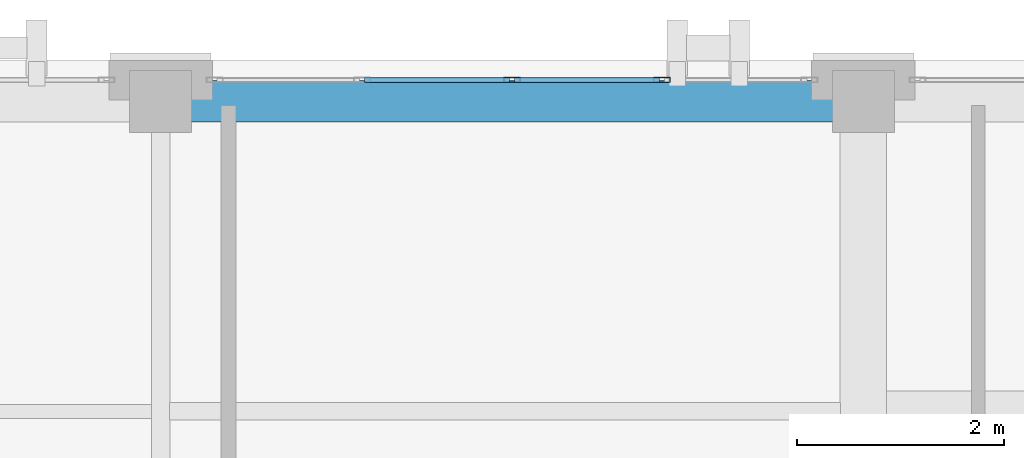
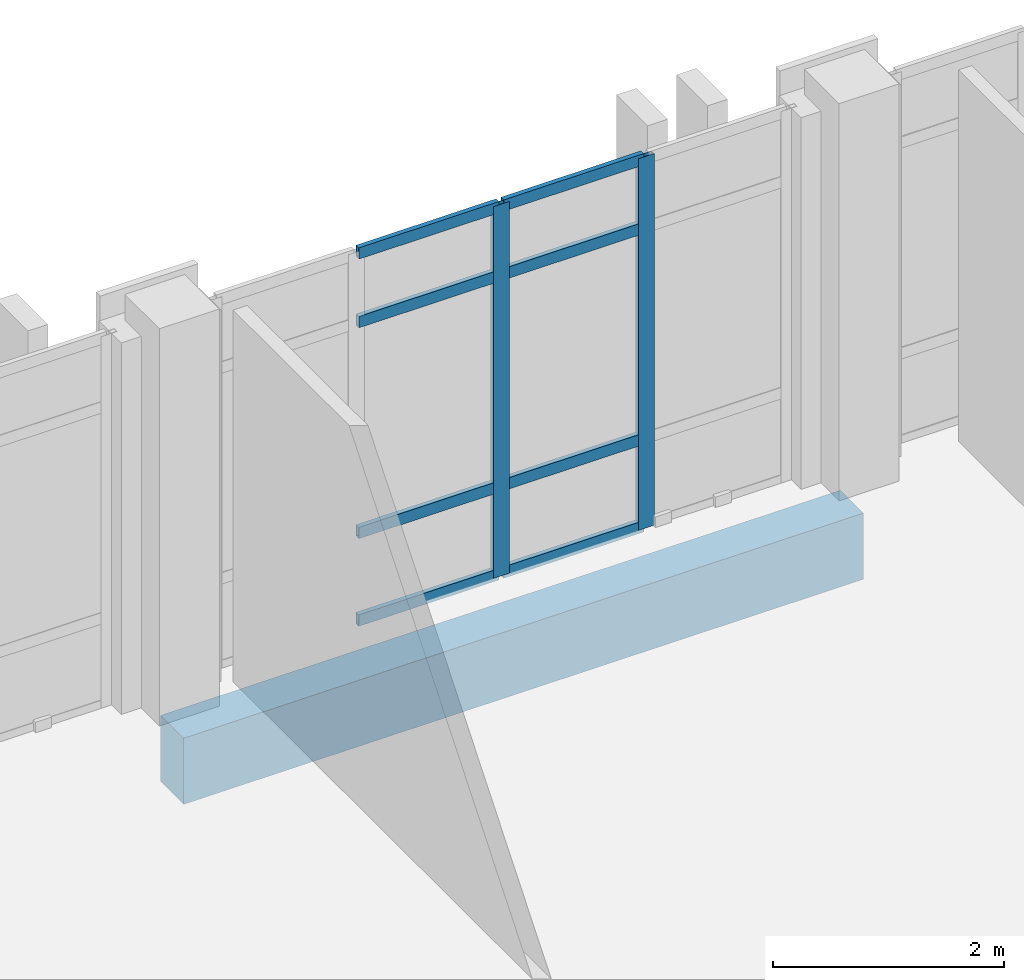
# One storey, part 48 of 90: 10 members, 1 beam, 1 element without a shape of its own.
"""IFC4 building model written with IfcOpenShell, lengths in metres."""

from ifc_helpers import new_model, si_unit, direction, frame, origin, origin_2d, place, context, subcontext, project, spatial, rectangle, hollow_rectangle, extrude, material, layer, layer_set, material_profile, profile_set, type_object, element, aggregate, save


model = new_model("IFC4")

# Units and contexts
model_context = context("Model", 3, precision=1e-05, world=origin(), true_north=direction((0.0, 1.0)))
body_context = subcontext(model_context, "Body", "Model", "MODEL_VIEW")
ifc_project = project(units=[si_unit("LENGTHUNIT", "METRE"), si_unit("AREAUNIT", "SQUARE_METRE"), si_unit("VOLUMEUNIT", "CUBIC_METRE"), si_unit("PLANEANGLEUNIT", "RADIAN"), si_unit("MASSUNIT", "GRAM", prefix="KILO")], contexts=[model_context])

# Site, building, storey
site_placement = place(None, origin())
site = spatial("IfcSite", under=ifc_project, at=site_placement, CompositionType="ELEMENT")
building_placement = place(site_placement, origin())
building = spatial("IfcBuilding", under=site, at=building_placement, Name="Qalavern Law Courts", CompositionType="ELEMENT")
storey_placement = place(building_placement, frame((0.0, 0.0, 22.800048828125)))
storey = spatial("IfcBuildingStorey", under=building, at=storey_placement, Name="L05", CompositionType="ELEMENT", Elevation=22.800048828125)

# Curtain wall, members
ifc_material_1 = material(Name="Anodised aluminium and insulated glazing", Category="aluminium")
ifc_layer = layer(ifc_material_1, 0.166015625)
ifc_layer_set = layer_set([ifc_layer], Name="Anodised aluminium and insulated glazing")
curtain_wall_type = type_object("IfcCurtainWallType", Name="ENV-CW-LIB", PredefinedType="USERDEFINED", material=ifc_layer_set)
curtain_wall_placement = place(storey_placement, origin())
curtain_wall = element("IfcCurtainWall", 1, at=curtain_wall_placement, inside=storey, type_object=curtain_wall_type, Name="V5 unitised curtain wall L05 north 2", ObjectType="UNITISED CURTAIN WALL", PredefinedType="USERDEFINED")
ifc_material_2 = material(Name="Anodised aluminium", Category="aluminium")
ifc_material_profile_1 = material_profile(ifc_material_2, hollow_rectangle(XDim=0.048095703125, YDim=0.159912109375, WallThickness=0.00390625, at=origin_2d()), Name="ALU MULLION 48x160")
ifc_profile_set_1 = profile_set([ifc_material_profile_1], Name="Anodised aluminium")
member_type_1 = type_object("IfcMemberType", Name="ENV-CWM-48x160", PredefinedType="MULLION", material=ifc_profile_set_1)
member_1_placement = place(storey_placement, frame((49.64990234375, 112.8076171875, 0.0), z_axis=(0.0, 0.0, 1.0), x_axis=(0.0, -1.0, 0.0)))
member_1 = element("IfcMember", 2, at=member_1_placement, type_object=member_type_1, Name="CW-05 mullion 2", PredefinedType="MULLION", context=body_context, shape_type="SweptSolid", body=[
    extrude(hollow_rectangle(XDim=0.048095703125, YDim=0.159912109375, WallThickness=0.00390625, at=origin_2d()), origin(), (0.0, 0.0, 1.0), 3.929931640625),
])
member_2_placement = place(storey_placement, frame((48.199951171875, 112.8076171875, 0.0), z_axis=(0.0, 0.0, 1.0), x_axis=(0.0, -1.0, 0.0)))
member_2 = element("IfcMember", 3, at=member_2_placement, type_object=member_type_1, Name="CW-05 mullion 3", PredefinedType="MULLION", context=body_context, shape_type="SweptSolid", body=[
    extrude(hollow_rectangle(XDim=0.048095703125, YDim=0.159912109375, WallThickness=0.00390625, at=origin_2d()), origin(), (0.0, 0.0, 1.0), 3.929931640625),
])
ifc_material_profile_2 = material_profile(ifc_material_2, hollow_rectangle(XDim=0.048095703125, YDim=0.1201171875, WallThickness=0.00390625, at=origin_2d()), Name="ALU TRANSOM 48x120")
ifc_profile_set_2 = profile_set([ifc_material_profile_2], Name="Anodised aluminium")
member_type_2 = type_object("IfcMemberType", Name="ENV-CWT-48x120", PredefinedType="USERDEFINED", material=ifc_profile_set_2)
member_3_placement = place(storey_placement, frame((49.6259765625, 112.8076171875, 0.02392578125), z_axis=(-1.0, 0.0, 0.0), x_axis=(0.0, -1.0, 0.0)))
member_3 = element("IfcMember", 4, at=member_3_placement, type_object=member_type_2, Name="CW-05 transom 2.1", ObjectType="TRANSOM", PredefinedType="USERDEFINED", context=body_context, shape_type="SweptSolid", body=[
    extrude(hollow_rectangle(XDim=0.048095703125, YDim=0.1201171875, WallThickness=0.00390625, at=origin_2d()), origin(), (0.0, 0.0, 1.0), 1.40185546875),
])
member_4_placement = place(storey_placement, frame((49.6259765625, 112.8076171875, 0.949951171875), z_axis=(-1.0, 0.0, 0.0), x_axis=(0.0, -1.0, 0.0)))
member_4 = element("IfcMember", 5, at=member_4_placement, type_object=member_type_2, Name="CW-05 transom 2.2", ObjectType="TRANSOM", PredefinedType="USERDEFINED", context=body_context, shape_type="SweptSolid", body=[
    extrude(hollow_rectangle(XDim=0.048095703125, YDim=0.1201171875, WallThickness=0.00390625, at=origin_2d()), origin(), (0.0, 0.0, 1.0), 1.40185546875),
])
member_5_placement = place(storey_placement, frame((49.6259765625, 112.8076171875, 3.179931640625), z_axis=(-1.0, 0.0, 0.0), x_axis=(0.0, -1.0, 0.0)))
member_5 = element("IfcMember", 6, at=member_5_placement, type_object=member_type_2, Name="CW-05 transom 2.3", ObjectType="TRANSOM", PredefinedType="USERDEFINED", context=body_context, shape_type="SweptSolid", body=[
    extrude(hollow_rectangle(XDim=0.048095703125, YDim=0.1201171875, WallThickness=0.00390625, at=origin_2d()), origin(), (0.0, 0.0, 1.0), 1.40185546875),
])
member_6_placement = place(storey_placement, frame((49.6259765625, 112.8076171875, 3.906005859375), z_axis=(-1.0, 0.0, 0.0), x_axis=(0.0, -1.0, 0.0)))
member_6 = element("IfcMember", 7, at=member_6_placement, type_object=member_type_2, Name="CW-05 transom 2.4", ObjectType="TRANSOM", PredefinedType="USERDEFINED", context=body_context, shape_type="SweptSolid", body=[
    extrude(hollow_rectangle(XDim=0.048095703125, YDim=0.1201171875, WallThickness=0.00390625, at=origin_2d()), origin(), (0.0, 0.0, 1.0), 1.40185546875),
])
member_7_placement = place(storey_placement, frame((48.176025390625, 112.8076171875, 0.02392578125), z_axis=(-1.0, 0.0, 0.0), x_axis=(0.0, -1.0, 0.0)))
member_7 = element("IfcMember", 8, at=member_7_placement, type_object=member_type_2, Name="CW-05 transom 3.1", ObjectType="TRANSOM", PredefinedType="USERDEFINED", context=body_context, shape_type="SweptSolid", body=[
    extrude(hollow_rectangle(XDim=0.048095703125, YDim=0.1201171875, WallThickness=0.00390625, at=origin_2d()), origin(), (0.0, 0.0, 1.0), 1.402099609375),
])
member_8_placement = place(storey_placement, frame((48.176025390625, 112.8076171875, 0.949951171875), z_axis=(-1.0, 0.0, 0.0), x_axis=(0.0, -1.0, 0.0)))
member_8 = element("IfcMember", 9, at=member_8_placement, type_object=member_type_2, Name="CW-05 transom 3.2", ObjectType="TRANSOM", PredefinedType="USERDEFINED", context=body_context, shape_type="SweptSolid", body=[
    extrude(hollow_rectangle(XDim=0.048095703125, YDim=0.1201171875, WallThickness=0.00390625, at=origin_2d()), origin(), (0.0, 0.0, 1.0), 1.402099609375),
])
member_9_placement = place(storey_placement, frame((48.176025390625, 112.8076171875, 3.179931640625), z_axis=(-1.0, 0.0, 0.0), x_axis=(0.0, -1.0, 0.0)))
member_9 = element("IfcMember", 10, at=member_9_placement, type_object=member_type_2, Name="CW-05 transom 3.3", ObjectType="TRANSOM", PredefinedType="USERDEFINED", context=body_context, shape_type="SweptSolid", body=[
    extrude(hollow_rectangle(XDim=0.048095703125, YDim=0.1201171875, WallThickness=0.00390625, at=origin_2d()), origin(), (0.0, 0.0, 1.0), 1.402099609375),
])
member_10_placement = place(storey_placement, frame((48.176025390625, 112.8076171875, 3.906005859375), z_axis=(-1.0, 0.0, 0.0), x_axis=(0.0, -1.0, 0.0)))
member_10 = element("IfcMember", 11, at=member_10_placement, type_object=member_type_2, Name="CW-05 transom 3.4", ObjectType="TRANSOM", PredefinedType="USERDEFINED", context=body_context, shape_type="SweptSolid", body=[
    extrude(hollow_rectangle(XDim=0.048095703125, YDim=0.1201171875, WallThickness=0.00390625, at=origin_2d()), origin(), (0.0, 0.0, 1.0), 1.402099609375),
])
aggregate(curtain_wall, [member_1, member_2, member_3, member_4, member_5, member_6, member_7, member_8, member_9, member_10])

# Beam
ifc_material_3 = material(Name="Concrete C40/50", Category="concrete")
ifc_material_profile_3 = material_profile(ifc_material_3, rectangle(XDim=0.39990234375, YDim=0.699951171875, at=origin_2d()), Name="RC 400x700")
ifc_profile_set_3 = profile_set([ifc_material_profile_3], Name="Concrete C40/50")
beam_type = type_object("IfcBeamType", Name="STR-SP-RC400x700", PredefinedType="SPANDREL", material=ifc_profile_set_3)
beam_placement = place(storey_placement, frame((44.800048828125, 112.60009765625, -0.64599609375), z_axis=(1.0, 0.0, 0.0), x_axis=(0.0, 1.0, 0.0)))
element("IfcBeam", 12, at=beam_placement, inside=storey, type_object=beam_type, Name="V5 X-beam 3-3 L05", PredefinedType="SPANDREL", context=body_context, shape_type="SweptSolid", body=[
    extrude(rectangle(XDim=0.39990234375, YDim=0.699951171875, at=origin_2d()), origin(), (0.0, 0.0, 1.0), 6.800048828125),
])

save(model, "model.ifc")
